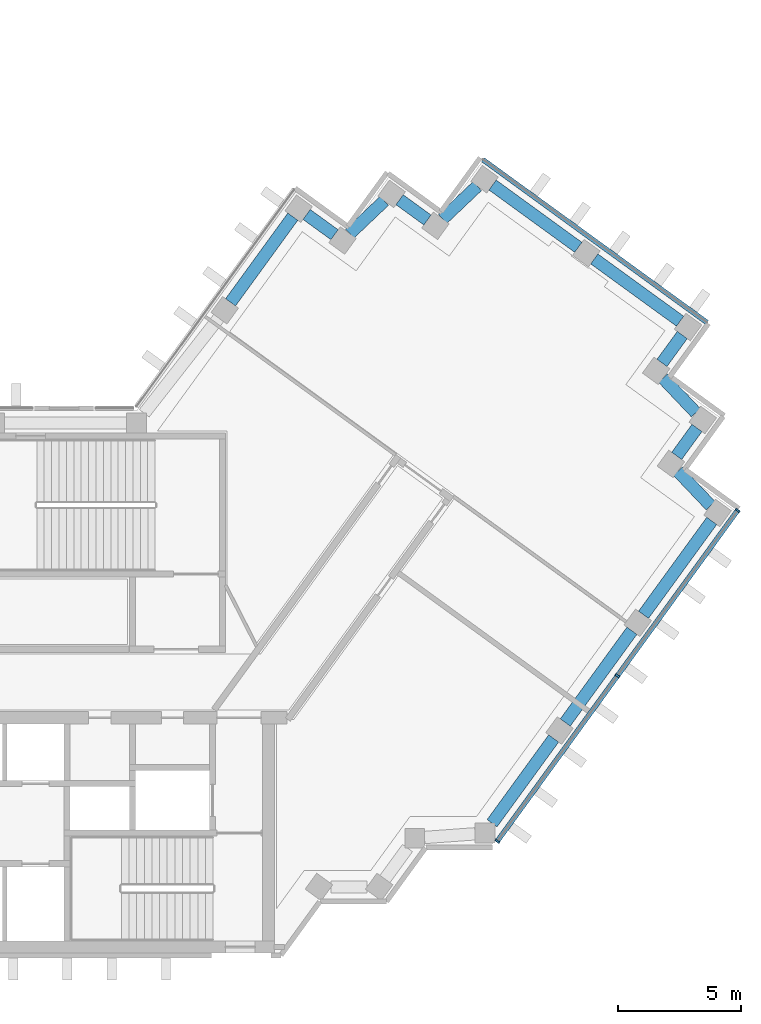
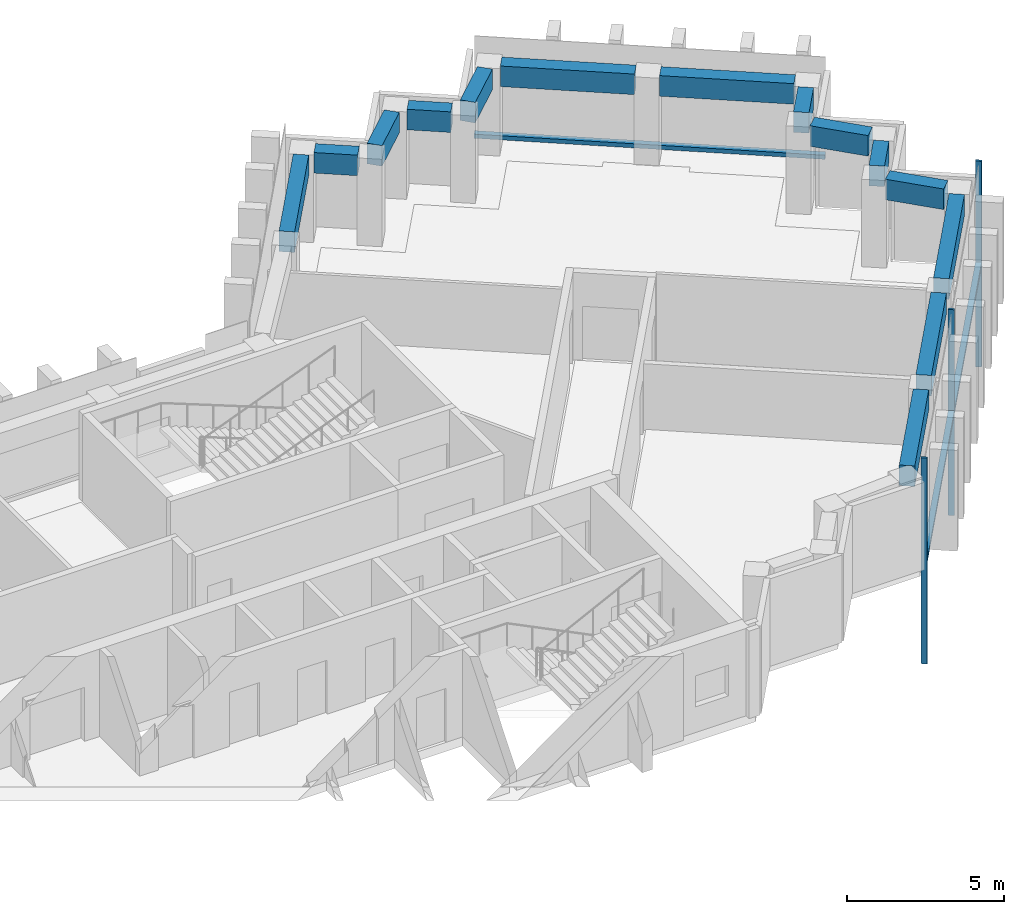
"""IFC4 building model written with IfcOpenShell, lengths in metres."""

import ifcopenshell
import ifcopenshell.guid

model = None  # the IFC model being written
_history = None  # IfcOwnerHistory: only IFC2X3 demands one
_inside = {}  # id of a spatial element -> (the spatial element, [elements in it])
_under = {}  # id of a project, library or spatial element -> (it, [spatial elements below it])
_declared = {}  # id of a project -> (the project, [libraries it declares])
_typed = {}  # id of a type object -> (the type object, [elements of that type])
_made_of = {}  # id of a material, layer set ... -> (it, [elements and type objects made of it])


def new_model(schema):
    """Start an empty IFC model of exactly this schema.

    Asked for "IFC4X3", IfcOpenShell would pick the latest addendum, in which some entities
    have other attributes; the version numbers below select the first issue.
    IFC2X3 requires an IfcOwnerHistory on every rooted entity: one is made here for all.
    """
    global model, _history
    if schema == "IFC4X3":
        model = ifcopenshell.file(schema_version=(4, 3, 0, 0))
    else:
        model = ifcopenshell.file(schema=schema)
    _inside.clear()
    _under.clear()
    _declared.clear()
    _typed.clear()
    _made_of.clear()
    _history = None
    if model.schema == "IFC2X3":
        org = make("IfcOrganization", Name="unknown")
        user = make(
            "IfcPersonAndOrganization",
            ThePerson=make("IfcPerson", FamilyName="unknown"),
            TheOrganization=org,
        )
        app = make(
            "IfcApplication",
            ApplicationDeveloper=org,
            Version="unknown",
            ApplicationFullName="unknown",
            ApplicationIdentifier="unknown",
        )
        _history = make(
            "IfcOwnerHistory",
            OwningUser=user,
            OwningApplication=app,
            ChangeAction="ADDED",
            CreationDate=0,
        )
    return model


def make(cls, **values):
    """One entity of the class cls with the attributes given. An attribute that is None is left unset."""
    return model.create_entity(
        cls, **{name: value for name, value in values.items() if value is not None}
    )


def rooted(cls, **values):
    """An entity with a GlobalId (a new one), such as an element, a storey or a relation."""
    return make(cls, GlobalId=ifcopenshell.guid.new(), OwnerHistory=_history, **values)


def si_unit(unit_type, name, prefix=None):
    """IfcSIUnit, for example si_unit("LENGTHUNIT", "METRE", prefix="MILLI")."""
    return make("IfcSIUnit", UnitType=unit_type, Prefix=prefix, Name=name)


def assignment(units):
    """IfcUnitAssignment: the units of a project."""
    return None if units is None else make("IfcUnitAssignment", Units=units)


def point(xyz):
    """IfcCartesianPoint."""
    return None if xyz is None else make("IfcCartesianPoint", Coordinates=xyz)


def direction(xyz):
    """IfcDirection."""
    return None if xyz is None else make("IfcDirection", DirectionRatios=xyz)


def frame(location, z_axis=None, x_axis=None):
    """IfcAxis2Placement3D, a coordinate frame: its origin and axes. An axis left out is left unset."""
    return make(
        "IfcAxis2Placement3D",
        Location=point(location),
        Axis=direction(z_axis),
        RefDirection=direction(x_axis),
    )


def frame_2d(location, x_axis=None):
    """IfcAxis2Placement2D, a coordinate frame in the plane: its origin and x axis."""
    return make(
        "IfcAxis2Placement2D", Location=point(location), RefDirection=direction(x_axis)
    )


def origin():
    """The frame at (0, 0, 0) with its axes left unset."""
    return frame((0.0, 0.0, 0.0))


def origin_2d():
    """The frame at (0, 0) in the plane with its x axis left unset."""
    return frame_2d((0.0, 0.0))


def place(relative_to, where):
    """IfcLocalPlacement: puts the frame where relative to a parent placement (None: the world)."""
    return make(
        "IfcLocalPlacement", PlacementRelTo=relative_to, RelativePlacement=where
    )


def context(
    kind, dimensions, precision=None, world=None, true_north=None, identifier=None
):
    """IfcGeometricRepresentationContext, for example the 3D "Model" context."""
    return make(
        "IfcGeometricRepresentationContext",
        ContextIdentifier=identifier,
        ContextType=kind,
        CoordinateSpaceDimension=dimensions,
        Precision=precision,
        WorldCoordinateSystem=world,
        TrueNorth=true_north,
    )


def subcontext(parent, identifier, kind, view, scale=None):
    """IfcGeometricRepresentationSubContext, for example "Body" below "Model"."""
    return make(
        "IfcGeometricRepresentationSubContext",
        ContextIdentifier=identifier,
        ContextType=kind,
        ParentContext=parent,
        TargetScale=scale,
        TargetView=view,
    )


def project(units=None, contexts=None):
    """IfcProject with its units and contexts."""
    return rooted(
        "IfcProject",
        Name="project",
        RepresentationContexts=contexts,
        UnitsInContext=assignment(units),
    )


def spatial(cls, under=None, at=None, **own):
    """A site, building, storey or space (cls), placed at a placement, below another one or the project."""
    s = rooted(cls, ObjectPlacement=at, **own)
    if under is not None:
        _under.setdefault(under.id(), (under, []))[1].append(s)
    return s


def profile(cls, at=None, kind="AREA", **sizes):
    """A parametric profile (cls). Its sizes go by their IFC names, for example OverallWidth=200.0."""
    return make(cls, ProfileType=kind, Position=at, **sizes)


def rectangle(**sizes):
    """IfcRectangleProfileDef."""
    return profile("IfcRectangleProfileDef", **sizes)


def extrude(swept, where, along, depth):
    """IfcExtrudedAreaSolid: the profile swept, set in the frame where, extruded along a direction by depth."""
    return make(
        "IfcExtrudedAreaSolid",
        SweptArea=swept,
        Position=where,
        ExtrudedDirection=direction(along),
        Depth=depth,
    )


def shape(context_of_items, identifier, shape_type, items):
    """IfcShapeRepresentation: the items that make up one representation, for example the "Body"."""
    return make(
        "IfcShapeRepresentation",
        ContextOfItems=context_of_items,
        RepresentationIdentifier=identifier,
        RepresentationType=shape_type,
        Items=items,
    )


def material(Name=None, Category=None):
    """IfcMaterial."""
    return make("IfcMaterial", Name=Name, Category=Category)


def material_profile(
    of_material, cross_section, Name=None, Category=None, Priority=None
):
    """IfcMaterialProfile: a cross section and its material."""
    return make(
        "IfcMaterialProfile",
        Name=Name,
        Material=of_material,
        Profile=cross_section,
        Priority=Priority,
        Category=Category,
    )


def profile_set(profiles, Name=None, composite=None):
    """IfcMaterialProfileSet."""
    return make(
        "IfcMaterialProfileSet",
        Name=Name,
        MaterialProfiles=profiles,
        CompositeProfile=composite,
    )


def made_of(thing, what):
    """Note that an element or type object is made of a material, layer set ...; save() writes the relation."""
    if what is not None:
        _made_of.setdefault(what.id(), (what, []))[1].append(thing)
    return thing


def type_object(cls, material=None, **own):
    """A type object (cls), such as IfcWallType, which elements share."""
    return made_of(rooted(cls, **own), material)


def element(
    cls,
    number,
    at=None,
    inside=None,
    cuts=None,
    type_object=None,
    material=None,
    context=None,
    identifier="Body",
    shape_type=None,
    held_by="IfcProductDefinitionShape",
    body=None,
    shapes=None,
    **own,
):
    """One element of the class cls, such as IfcWall. Its Tag is "e" and its number.

    at: its placement. inside: the storey or other place that contains it. cuts: it is an
    opening in that element (IfcRelVoidsElement). A single representation is given by context,
    identifier, shape_type and body (its items); several are given by shapes. held_by: the class
    of the entity that holds the representations. save() writes the other relations.
    """
    e = rooted(cls, Tag="e%d" % number, ObjectPlacement=at, **own)
    if body is not None:
        shapes = [shape(context, identifier, shape_type, body)]
    if shapes is not None:
        e.Representation = make(held_by, Representations=shapes)
    if inside is not None:
        _inside.setdefault(inside.id(), (inside, []))[1].append(e)
    if cuts is not None:
        rooted(
            "IfcRelVoidsElement", RelatingBuildingElement=cuts, RelatedOpeningElement=e
        )
    if type_object is not None:
        _typed.setdefault(type_object.id(), (type_object, []))[1].append(e)
    return made_of(e, material)


def aggregate(whole, parts):
    """IfcRelAggregates: a whole, such as a stair, and the parts it consists of."""
    return rooted("IfcRelAggregates", RelatingObject=whole, RelatedObjects=parts)


def save(model, path):
    """Write the relations noted so far, then the file.

    IfcRelAggregates (storeys below a building ...), IfcRelContainedInSpatialStructure (elements
    in a storey), IfcRelDefinesByType, IfcRelAssociatesMaterial and IfcRelDeclares: one each for
    every whole, place, type object, material and project.
    """
    for whole, parts in _under.values():
        aggregate(whole, parts)
    for where, things in _inside.values():
        rooted(
            "IfcRelContainedInSpatialStructure",
            RelatedElements=things,
            RelatingStructure=where,
        )
    for kind, things in _typed.values():
        rooted("IfcRelDefinesByType", RelatedObjects=things, RelatingType=kind)
    for what, things in _made_of.values():
        rooted("IfcRelAssociatesMaterial", RelatedObjects=things, RelatingMaterial=what)
    for by, libraries in _declared.values():
        rooted("IfcRelDeclares", RelatingContext=by, RelatedDefinitions=libraries)
    model.write(path)


model = new_model("IFC4")

# Units and contexts
model_context = context("Model", 3, precision=1e-05, world=origin(), true_north=direction((0.0, 1.0)))
body_context = subcontext(model_context, "Body", "Model", "MODEL_VIEW")
ifc_project = project(units=[si_unit("LENGTHUNIT", "METRE"), si_unit("AREAUNIT", "SQUARE_METRE"), si_unit("VOLUMEUNIT", "CUBIC_METRE"), si_unit("PLANEANGLEUNIT", "RADIAN"), si_unit("MASSUNIT", "GRAM", prefix="KILO")], contexts=[model_context])

# Site, building, storey
site_placement = place(None, origin())
site = spatial("IfcSite", under=ifc_project, at=site_placement, CompositionType="ELEMENT")
building_placement = place(site_placement, origin())
building = spatial("IfcBuilding", under=site, at=building_placement, Name="Quipu Civic Tower", CompositionType="ELEMENT")
storey_1_placement = place(building_placement, frame((0.0, 0.0, 238.0)))
storey_1 = spatial("IfcBuildingStorey", under=building, at=storey_1_placement, Name="L56", CompositionType="ELEMENT", Elevation=238.0)

# Curtain wall, members
ifc_material_1 = material(Name="Insulated glass unit", Category="glass")
curtain_wall_type = type_object("IfcCurtainWallType", Name="Office curtain wall CW1", PredefinedType="NOTDEFINED", material=ifc_material_1)
curtain_wall_1_placement = place(storey_1_placement, origin())
curtain_wall_1 = element("IfcCurtainWall", 1, at=curtain_wall_1_placement, inside=storey_1, type_object=curtain_wall_type, Name="Office curtain wall CW1 L55 run 4", PredefinedType="NOTDEFINED")
ifc_material_2 = material(Name="Anodised aluminium", Category="aluminium")
ifc_material_profile_1 = material_profile(ifc_material_2, rectangle(XDim=0.199951171875, YDim=0.080078125, at=origin_2d()), Name="RECT 200x80")
ifc_profile_set_1 = profile_set([ifc_material_profile_1], Name="Anodised aluminium")
member_type_1 = type_object("IfcMemberType", Name="Mullion CW1", PredefinedType="MULLION", material=ifc_profile_set_1)
member_1_placement = place(storey_1_placement, frame((29.029296875, -6.45654296875, -3.919921875), z_axis=(0.0, 0.0, 1.0), x_axis=(-0.809015868502, 0.58778680192, 0.0)))
member_1 = element("IfcMember", 2, at=member_1_placement, type_object=member_type_1, Name="CW1 mullion 1", PredefinedType="MULLION", context=body_context, shape_type="SweptSolid", body=[
    extrude(rectangle(XDim=0.199951171875, YDim=0.080078125, at=origin_2d()), origin(), (0.0, 0.0, 1.0), 8.0),
])
member_2_placement = place(storey_1_placement, frame((33.90087890625, 0.24853515625, -3.919921875), z_axis=(0.0, 0.0, 1.0), x_axis=(-0.809015868502, 0.58778680192, 0.0)))
member_2 = element("IfcMember", 3, at=member_2_placement, type_object=member_type_1, Name="CW1 mullion 2", PredefinedType="MULLION", context=body_context, shape_type="SweptSolid", body=[
    extrude(rectangle(XDim=0.199951171875, YDim=0.080078125, at=origin_2d()), origin(), (0.0, 0.0, 1.0), 8.0),
])
member_3_placement = place(storey_1_placement, frame((38.772705078125, 6.953857421875, -3.919921875), z_axis=(0.0, 0.0, 1.0), x_axis=(-0.809015868502, 0.58778680192, 0.0)))
member_3 = element("IfcMember", 4, at=member_3_placement, type_object=member_type_1, Name="CW1 mullion 3", PredefinedType="MULLION", context=body_context, shape_type="SweptSolid", body=[
    extrude(rectangle(XDim=0.199951171875, YDim=0.080078125, at=origin_2d()), origin(), (0.0, 0.0, 1.0), 8.0),
])

# Beams
ifc_material_3 = material(Name="Concrete C50/60", Category="concrete")
ifc_material_profile_2 = material_profile(ifc_material_3, rectangle(XDim=0.5, YDim=0.800048828125, at=origin_2d()), Name="RC500x800")
ifc_profile_set_2 = profile_set([ifc_material_profile_2], Name="Concrete C50/60")
beam_type = type_object("IfcBeamType", Name="Spandrel beam RC 500x800 C50/60", PredefinedType="SPANDREL", material=ifc_profile_set_2)
beam_1_placement = place(storey_1_placement, frame((28.815673828125, -5.72998046875, 3.0), z_axis=(0.58776850526, 0.809029161541, 0.0), x_axis=(-0.809029161541, 0.58776850526, 0.0)))
element("IfcBeam", 5, at=beam_1_placement, inside=storey_1, type_object=beam_type, Name="Spandrel beam L56 J-Eo.4 to E-OUT-01", PredefinedType="SPANDREL", context=body_context, shape_type="SweptSolid", body=[
    extrude(rectangle(XDim=0.5, YDim=0.800048828125, at=origin_2d()), origin(), (0.0, 0.0, 1.0), 4.249267578125),
])
beam_2_placement = place(storey_1_placement, frame((31.783447265625, -1.64501953125, 3.0), z_axis=(0.587796098864, 0.809009113768, 0.0), x_axis=(-0.809009113768, 0.587796098864, 0.0)))
element("IfcBeam", 6, at=beam_2_placement, inside=storey_1, type_object=beam_type, Name="Spandrel beam L56 E-OUT-01 to E-OUT-02", PredefinedType="SPANDREL", context=body_context, shape_type="SweptSolid", body=[
    extrude(rectangle(XDim=0.5, YDim=0.800048828125, at=origin_2d()), origin(), (0.0, 0.0, 1.0), 4.60009765625),
])
beam_3_placement = place(storey_1_placement, frame((34.95751953125, 2.7236328125, 3.0), z_axis=(0.587891029962, 0.808940131833, 0.0), x_axis=(-0.808940131833, 0.587891029962, 0.0)))
element("IfcBeam", 7, at=beam_3_placement, inside=storey_1, type_object=beam_type, Name="Spandrel beam L56 E-OUT-02 to T-Eo.0-E22", PredefinedType="SPANDREL", context=body_context, shape_type="SweptSolid", body=[
    extrude(rectangle(XDim=0.5, YDim=0.800048828125, at=origin_2d()), origin(), (0.0, 0.0, 1.0), 4.707275390625),
])
beam_4_placement = place(storey_1_placement, frame((37.6796875, 7.149658203125, 3.0), z_axis=(-0.689191109061, 0.724579612735, 0.0), x_axis=(-0.724579612735, -0.689191109061, 0.0)))
element("IfcBeam", 8, at=beam_4_placement, inside=storey_1, type_object=beam_type, Name="Spandrel beam L56 T-Eo.0-E22 to T-Eo.1-E22", PredefinedType="SPANDREL", context=body_context, shape_type="SweptSolid", body=[
    extrude(rectangle(XDim=0.5, YDim=0.800048828125, at=origin_2d()), origin(), (0.0, 0.0, 1.0), 1.931640625),
])
beam_5_placement = place(storey_1_placement, frame((36.302978515625, 9.16796875, 3.0), z_axis=(0.58725897397, 0.809399096547, 0.0), x_axis=(-0.809399096547, 0.58725897397, 0.0)))
element("IfcBeam", 9, at=beam_5_placement, inside=storey_1, type_object=beam_type, Name="Spandrel beam L56 T-Eo.1-E22 to T-Eo.2-E22", PredefinedType="SPANDREL", context=body_context, shape_type="SweptSolid", body=[
    extrude(rectangle(XDim=0.5, YDim=0.800048828125, at=origin_2d()), origin(), (0.0, 0.0, 1.0), 1.400146484375),
])
beam_6_placement = place(storey_1_placement, frame((37.080078125, 10.920166015625, 3.0), z_axis=(-0.688280901551, 0.725444278053, 0.0), x_axis=(-0.725444278053, -0.688280901551, 0.0)))
element("IfcBeam", 10, at=beam_6_placement, inside=storey_1, type_object=beam_type, Name="Spandrel beam L56 T-Eo.2-E22 to T-Eo.3-E22", PredefinedType="SPANDREL", context=body_context, shape_type="SweptSolid", body=[
    extrude(rectangle(XDim=0.5, YDim=0.800048828125, at=origin_2d()), origin(), (0.0, 0.0, 1.0), 1.931396484375),
])
beam_7_placement = place(storey_1_placement, frame((35.7060546875, 12.93994140625, 3.0), z_axis=(0.58841024035, 0.808562544922, 0.0), x_axis=(-0.808562544922, 0.58841024035, 0.0)))
element("IfcBeam", 11, at=beam_7_placement, inside=storey_1, type_object=beam_type, Name="Spandrel beam L56 T-Eo.3-E22 to T-Eo.4-E22", PredefinedType="SPANDREL", context=body_context, shape_type="SweptSolid", body=[
    extrude(rectangle(XDim=0.5, YDim=0.800048828125, at=origin_2d()), origin(), (0.0, 0.0, 1.0), 1.3994140625),
])
beam_8_placement = place(storey_1_placement, frame((36.44140625, 14.630126953125, 3.0), z_axis=(-0.809153076016, 0.587597906373, 0.0), x_axis=(-0.587597906373, -0.809153076016, 0.0)))
element("IfcBeam", 12, at=beam_8_placement, inside=storey_1, type_object=beam_type, Name="Spandrel beam L56 T-Eo.4-E22 to TIP-E-01-E22", PredefinedType="SPANDREL", context=body_context, shape_type="SweptSolid", body=[
    extrude(rectangle(XDim=0.5, YDim=0.800048828125, at=origin_2d()), origin(), (0.0, 0.0, 1.0), 4.302001953125),
])
beam_9_placement = place(storey_1_placement, frame((32.313232421875, 17.6279296875, 3.0), z_axis=(-0.80911644178, 0.587648350327, 0.0), x_axis=(-0.587648350327, -0.80911644178, 0.0)))
element("IfcBeam", 13, at=beam_9_placement, inside=storey_1, type_object=beam_type, Name="Spandrel beam L56 TIP-E-01-E22 to T-Ei.0-E22", PredefinedType="SPANDREL", context=body_context, shape_type="SweptSolid", body=[
    extrude(rectangle(XDim=0.5, YDim=0.800048828125, at=origin_2d()), origin(), (0.0, 0.0, 1.0), 4.30029296875),
])
beam_10_placement = place(storey_1_placement, frame((28.21484375, 20.10986328125, 3.0), z_axis=(-0.725384387405, -0.688344020464, 0.0), x_axis=(0.688344020464, -0.725384387405, 0.0)))
element("IfcBeam", 14, at=beam_10_placement, inside=storey_1, type_object=beam_type, Name="Spandrel beam L56 T-Ei.0-E22 to T-Ei.1-E22", PredefinedType="SPANDREL", context=body_context, shape_type="SweptSolid", body=[
    extrude(rectangle(XDim=0.5, YDim=0.800048828125, at=origin_2d()), origin(), (0.0, 0.0, 1.0), 1.93115234375),
])
beam_11_placement = place(storey_1_placement, frame((26.195556640625, 18.73583984375, 3.0), z_axis=(-0.808600329101, 0.588358315805, 0.0), x_axis=(-0.588358315805, -0.808600329101, 0.0)))
element("IfcBeam", 15, at=beam_11_placement, inside=storey_1, type_object=beam_type, Name="Spandrel beam L56 T-Ei.1-E22 to T-Ei.2-E22", PredefinedType="SPANDREL", context=body_context, shape_type="SweptSolid", body=[
    extrude(rectangle(XDim=0.5, YDim=0.800048828125, at=origin_2d()), origin(), (0.0, 0.0, 1.0), 1.400146484375),
])
beam_12_placement = place(storey_1_placement, frame((24.445068359375, 19.514892578125, 3.0), z_axis=(-0.72506883804, -0.688676397232, 0.0), x_axis=(0.688676397232, -0.72506883804, 0.0)))
element("IfcBeam", 16, at=beam_12_placement, inside=storey_1, type_object=beam_type, Name="Spandrel beam L56 T-Ei.2-E22 to T-Ei.3-E22", PredefinedType="SPANDREL", context=body_context, shape_type="SweptSolid", body=[
    extrude(rectangle(XDim=0.5, YDim=0.800048828125, at=origin_2d()), origin(), (0.0, 0.0, 1.0), 1.93212890625),
])
beam_13_placement = place(storey_1_placement, frame((22.425537109375, 18.13916015625, 3.0), z_axis=(-0.809452764948, 0.587184997524, 0.0), x_axis=(-0.587184997524, -0.809452764948, 0.0)))
element("IfcBeam", 17, at=beam_13_placement, inside=storey_1, type_object=beam_type, Name="Spandrel beam L56 T-Ei.3-E22 to T-Ei.4-E22", PredefinedType="SPANDREL", context=body_context, shape_type="SweptSolid", body=[
    extrude(rectangle(XDim=0.5, YDim=0.800048828125, at=origin_2d()), origin(), (0.0, 0.0, 1.0), 1.398193359375),
])
beam_14_placement = place(storey_1_placement, frame((20.734619140625, 18.87158203125, 3.0), z_axis=(-0.58812775221, -0.808768042816, 0.0), x_axis=(0.808768042816, -0.58812775221, 0.0)))
element("IfcBeam", 18, at=beam_14_placement, inside=storey_1, type_object=beam_type, Name="Spandrel beam L56 T-Ei.4-E22 to E-IN-01", PredefinedType="SPANDREL", context=body_context, shape_type="SweptSolid", body=[
    extrude(rectangle(XDim=0.5, YDim=0.800048828125, at=origin_2d()), origin(), (0.0, 0.0, 1.0), 4.29443359375),
])

# Storey
storey_2_placement = place(building_placement, frame((0.0, 0.0, 234.0)))
storey_2 = spatial("IfcBuildingStorey", under=building, at=storey_2_placement, Name="L55", CompositionType="ELEMENT", Elevation=234.0)

# Curtain wall, member
curtain_wall_2_placement = place(storey_2_placement, origin())
curtain_wall_2 = element("IfcCurtainWall", 19, at=curtain_wall_2_placement, inside=storey_2, type_object=curtain_wall_type, Name="Office curtain wall CW1 L54 run 21", PredefinedType="NOTDEFINED")
ifc_material_4 = material(Name="Anodised aluminium", Category="aluminium")
ifc_material_profile_3 = material_profile(ifc_material_4, rectangle(XDim=0.199951171875, YDim=0.159912109375, at=origin_2d()), Name="RECT 200x160")
ifc_profile_set_3 = profile_set([ifc_material_profile_3], Name="Anodised aluminium")
member_type_2 = type_object("IfcMemberType", Name="Transom CW1", PredefinedType="USERDEFINED", material=ifc_profile_set_3)
member_4_placement = place(storey_1_placement, frame((37.536865234375, 14.575927734375, 0.080078125), z_axis=(-0.809022463805, 0.587777724194, 0.0), x_axis=(-0.587777724194, -0.809022463805, 0.0)))
member_4 = element("IfcMember", 20, at=member_4_placement, inside=storey_1, type_object=member_type_2, Name="CW1 transom 1.3", ObjectType="TRANSOM", PredefinedType="USERDEFINED", context=body_context, shape_type="SweptSolid", body=[
    extrude(rectangle(XDim=0.199951171875, YDim=0.159912109375, at=origin_2d()), origin(), (0.0, 0.0, 1.0), 11.240234375),
])
aggregate(curtain_wall_2, [member_4])

# Member
member_5_placement = place(storey_1_placement, frame((29.052978515625, -6.424072265625, 0.080078125), z_axis=(0.587780770372, 0.809020250662, 0.0), x_axis=(-0.809020250662, 0.587780770372, 0.0)))
member_5 = element("IfcMember", 21, at=member_5_placement, type_object=member_type_2, Name="CW1 transom 1.2", ObjectType="TRANSOM", PredefinedType="USERDEFINED", context=body_context, shape_type="SweptSolid", body=[
    extrude(rectangle(XDim=0.199951171875, YDim=0.159912109375, at=origin_2d()), origin(), (0.0, 0.0, 1.0), 8.2080078125),
])

member_6_placement = place(storey_1_placement, frame((33.924560546875, 0.281005859375, 0.080078125), z_axis=(0.587780770372, 0.809020250662, 0.0), x_axis=(-0.809020250662, 0.587780770372, 0.0)))
member_6 = element("IfcMember", 22, at=member_6_placement, type_object=member_type_2, Name="CW1 transom 2.2", ObjectType="TRANSOM", PredefinedType="USERDEFINED", context=body_context, shape_type="SweptSolid", body=[
    extrude(rectangle(XDim=0.199951171875, YDim=0.159912109375, at=origin_2d()), origin(), (0.0, 0.0, 1.0), 8.2080078125),
])

aggregate(curtain_wall_1, [member_1, member_2, member_3, member_5, member_6])

save(model, "model.ifc")
